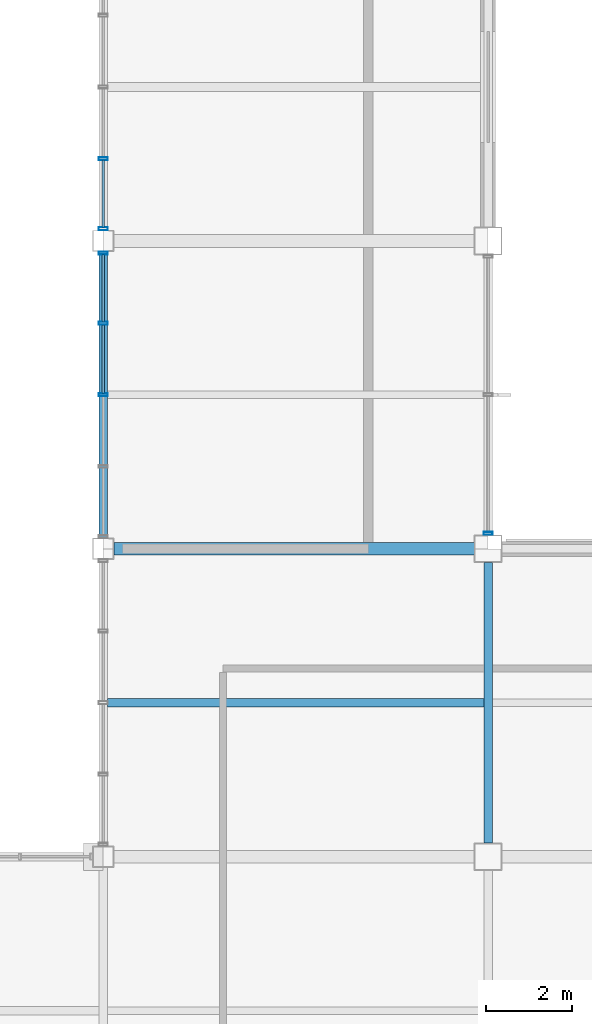
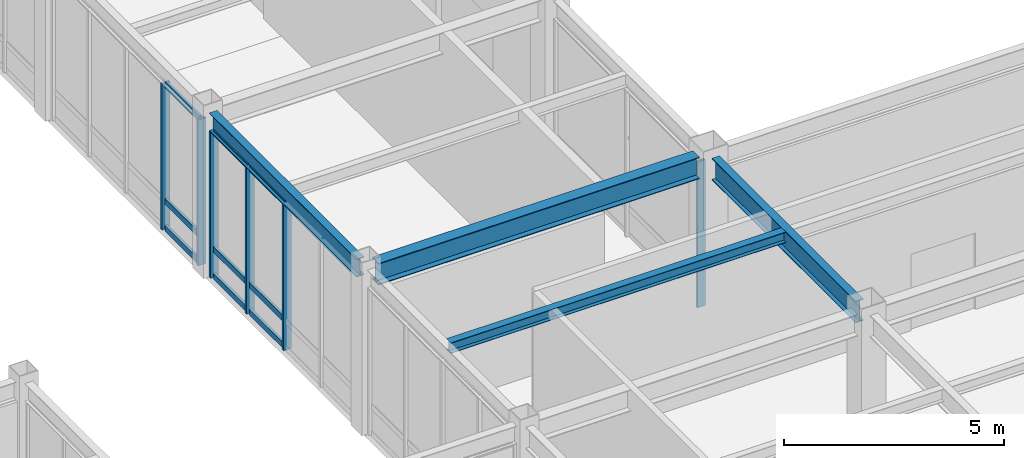
# One storey, part 29 of 112: 15 members, 4 beams, 3 elements without a shape of their own.
"""IFC4 building model written with IfcOpenShell, lengths in metres."""

from ifc_helpers import new_model, si_unit, direction, frame, origin, origin_2d, place, context, subcontext, project, spatial, hollow_rectangle, i_section, extrude, material, material_profile, profile_set, type_object, element, aggregate, save


model = new_model("IFC4")

# Units and contexts
model_context = context("Model", 3, precision=1e-05, world=origin(), true_north=direction((0.0, 1.0)))
body_context = subcontext(model_context, "Body", "Model", "MODEL_VIEW")
ifc_project = project(units=[si_unit("LENGTHUNIT", "METRE"), si_unit("AREAUNIT", "SQUARE_METRE"), si_unit("VOLUMEUNIT", "CUBIC_METRE"), si_unit("PLANEANGLEUNIT", "RADIAN"), si_unit("MASSUNIT", "GRAM", prefix="KILO")], contexts=[model_context])

# Site, building, storey
site_placement = place(None, origin())
site = spatial("IfcSite", under=ifc_project, at=site_placement, CompositionType="ELEMENT")
building_placement = place(site_placement, origin())
building = spatial("IfcBuilding", under=site, at=building_placement, Name="Kazanami Central Library", CompositionType="ELEMENT")
storey_placement = place(building_placement, origin())
storey = spatial("IfcBuildingStorey", under=building, at=storey_placement, Name="L01", CompositionType="ELEMENT", Elevation=0.0)

# Beams
ifc_material_1 = material(Name="Steel SN400B (235 MPa)", Category="steel")
ifc_material_profile_1 = material_profile(ifc_material_1, i_section(OverallWidth=0.199951171875, OverallDepth=0.2939453125, WebThickness=0.008056640625, FlangeThickness=0.011962890625, at=origin_2d()), Name="H-294x200x8x12")
ifc_profile_set_1 = profile_set([ifc_material_profile_1], Name="Steel SN400B (235 MPa)")
beam_type_1 = type_object("IfcBeamType", Name="BM-B-S5", PredefinedType="JOIST", material=ifc_profile_set_1)
beam_1_placement = place(storey_placement, frame((45.097900390625, 32.39990234375, 4.407958984375), z_axis=(1.0, 0.0, 0.0), x_axis=(0.0, 1.0, 0.0)))
element("IfcBeam", 1, at=beam_1_placement, inside=storey, type_object=beam_type_1, Name="Composite Secondary Joist B-S5 L01 Bay 6/E.1", PredefinedType="JOIST", context=body_context, shape_type="SweptSolid", body=[
    extrude(i_section(OverallWidth=0.199951171875, OverallDepth=0.2939453125, WebThickness=0.008056640625, FlangeThickness=0.011962890625, at=origin_2d()), origin(), (0.0, 0.0, 1.0), 8.80419921875),
])
ifc_material_2 = material(Name="Steel SN490B (325 MPa)", Category="steel")
ifc_material_profile_2 = material_profile(ifc_material_2, i_section(OverallWidth=0.300048828125, OverallDepth=0.60009765625, WebThickness=0.011962890625, FlangeThickness=0.02001953125, at=origin_2d()), Name="H-600x300x12x20")
ifc_profile_set_2 = profile_set([ifc_material_profile_2], Name="Steel SN490B (325 MPa)")
beam_type_2 = type_object("IfcBeamType", Name="BM-G-X1", PredefinedType="BEAM", material=ifc_profile_set_2)
beam_2_placement = place(storey_placement, frame((45.248046875, 36.0, 4.2548828125), z_axis=(1.0, 0.0, 0.0), x_axis=(0.0, 1.0, 0.0)))
element("IfcBeam", 2, at=beam_2_placement, inside=storey, type_object=beam_type_2, Name="Girder G-X1 L01 F/6-7", PredefinedType="BEAM", context=body_context, shape_type="SweptSolid", body=[
    extrude(i_section(OverallWidth=0.300048828125, OverallDepth=0.60009765625, WebThickness=0.011962890625, FlangeThickness=0.02001953125, at=origin_2d()), origin(), (0.0, 0.0, 1.0), 8.428955078125),
])
ifc_material_profile_3 = material_profile(ifc_material_2, i_section(OverallWidth=0.199951171875, OverallDepth=0.60009765625, WebThickness=0.010986328125, FlangeThickness=0.01708984375, at=origin_2d()), Name="H-600x200x11x17")
ifc_profile_set_3 = profile_set([ifc_material_profile_3], Name="Steel SN490B (325 MPa)")
beam_type_3 = type_object("IfcBeamType", Name="BM-G-Y1", PredefinedType="BEAM", material=ifc_profile_set_3)
beam_3_placement = place(storey_placement, frame((54.0, 29.123046875, 4.2548828125), z_axis=(0.0, 1.0, 0.0), x_axis=(-1.0, 0.0, 0.0)))
element("IfcBeam", 3, at=beam_3_placement, inside=storey, type_object=beam_type_3, Name="Girder G-Y1 L01 7/E-F", PredefinedType="BEAM", context=body_context, shape_type="SweptSolid", body=[
    extrude(i_section(OverallWidth=0.199951171875, OverallDepth=0.60009765625, WebThickness=0.010986328125, FlangeThickness=0.01708984375, at=origin_2d()), origin(), (0.0, 0.0, 1.0), 6.553955078125),
])
ifc_material_profile_4 = material_profile(ifc_material_2, i_section(OverallWidth=0.199951171875, OverallDepth=0.5, WebThickness=0.010009765625, FlangeThickness=0.01611328125, at=origin_2d()), Name="H-500x200x10x16")
ifc_profile_set_4 = profile_set([ifc_material_profile_4], Name="Steel SN490B (325 MPa)")
beam_type_4 = type_object("IfcBeamType", Name="BM-SP-1", PredefinedType="SPANDREL", material=ifc_profile_set_4)
beam_4_placement = place(storey_placement, frame((45.0, 36.248046875, 4.304931640625), z_axis=(0.0, 1.0, 0.0), x_axis=(-1.0, 0.0, 0.0)))
element("IfcBeam", 4, at=beam_4_placement, inside=storey, type_object=beam_type_4, Name="Girder SP-1 L01 6/F-G", PredefinedType="SPANDREL", context=body_context, shape_type="SweptSolid", body=[
    extrude(i_section(OverallWidth=0.199951171875, OverallDepth=0.5, WebThickness=0.010009765625, FlangeThickness=0.01611328125, at=origin_2d()), origin(), (0.0, 0.0, 1.0), 6.703857421875),
])

# Curtain wall, members
ifc_material_3 = material(Name="Acid-Etched Low-E Laminated Glass", Category="glass")
curtain_wall_type_1 = type_object("IfcCurtainWallType", Name="CW-6700x4055-M180", PredefinedType="USERDEFINED", material=ifc_material_3)
curtain_wall_1_placement = place(storey_placement, origin())
curtain_wall_1 = element("IfcCurtainWall", 5, at=curtain_wall_1_placement, inside=storey, type_object=curtain_wall_type_1, Name="Covered Link Bridge Curtain Wall CW-09 L01 W-6-05", ObjectType="UNITISED CURTAIN WALL", PredefinedType="USERDEFINED")
ifc_material_4 = material(Name="Anodised Aluminium A6063-T5", Category="aluminium")
ifc_material_profile_5 = material_profile(ifc_material_4, hollow_rectangle(XDim=0.070068359375, YDim=0.2099609375, WallThickness=0.0048828125, at=origin_2d()), Name="ALU-MULL-70x210x5")
ifc_profile_set_5 = profile_set([ifc_material_profile_5], Name="Anodised Aluminium A6063-T5")
member_type_1 = type_object("IfcMemberType", Name="MEM-CW-M1", PredefinedType="MULLION", material=ifc_profile_set_5)
member_1_placement = place(storey_placement, frame((45.0, 39.60009765625, 0.0), z_axis=(0.0, 0.0, 1.0), x_axis=(0.0, 1.0, 0.0)))
member_1 = element("IfcMember", 6, at=member_1_placement, type_object=member_type_1, Name="CW-09 mullion 3", PredefinedType="MULLION", context=body_context, shape_type="SweptSolid", body=[
    extrude(hollow_rectangle(XDim=0.070068359375, YDim=0.2099609375, WallThickness=0.0048828125, at=origin_2d()), origin(), (0.0, 0.0, 1.0), 4.054931640625),
])
member_2_placement = place(storey_placement, frame((45.0, 41.27490234375, 0.0), z_axis=(0.0, 0.0, 1.0), x_axis=(0.0, 1.0, 0.0)))
member_2 = element("IfcMember", 7, at=member_2_placement, type_object=member_type_1, Name="CW-09 mullion 4", PredefinedType="MULLION", context=body_context, shape_type="SweptSolid", body=[
    extrude(hollow_rectangle(XDim=0.070068359375, YDim=0.2099609375, WallThickness=0.0048828125, at=origin_2d()), origin(), (0.0, 0.0, 1.0), 4.054931640625),
])
member_3_placement = place(storey_placement, frame((45.0, 42.9150390625, 0.0), z_axis=(0.0, 0.0, 1.0), x_axis=(0.0, 1.0, 0.0)))
member_3 = element("IfcMember", 8, at=member_3_placement, type_object=member_type_1, Name="CW-09 mullion 5", PredefinedType="MULLION", context=body_context, shape_type="SweptSolid", body=[
    extrude(hollow_rectangle(XDim=0.070068359375, YDim=0.2099609375, WallThickness=0.0048828125, at=origin_2d()), origin(), (0.0, 0.0, 1.0), 4.054931640625),
])

curtain_wall_2_placement = place(storey_placement, origin())
curtain_wall_2 = element("IfcCurtainWall", 9, at=curtain_wall_2_placement, inside=storey, type_object=curtain_wall_type_1, Name="Covered Link Bridge Curtain Wall CW-09 L01 W-6-06", ObjectType="UNITISED CURTAIN WALL", PredefinedType="USERDEFINED")
member_4_placement = place(storey_placement, frame((45.0, 43.485107421875, 0.0), z_axis=(0.0, 0.0, 1.0), x_axis=(0.0, 1.0, 0.0)))
member_4 = element("IfcMember", 10, at=member_4_placement, type_object=member_type_1, Name="CW-09 mullion 1", PredefinedType="MULLION", context=body_context, shape_type="SweptSolid", body=[
    extrude(hollow_rectangle(XDim=0.070068359375, YDim=0.2099609375, WallThickness=0.0048828125, at=origin_2d()), origin(), (0.0, 0.0, 1.0), 4.054931640625),
])
member_5_placement = place(storey_placement, frame((45.0, 45.125, 0.0), z_axis=(0.0, 0.0, 1.0), x_axis=(0.0, 1.0, 0.0)))
member_5 = element("IfcMember", 11, at=member_5_placement, type_object=member_type_1, Name="CW-09 mullion 2", PredefinedType="MULLION", context=body_context, shape_type="SweptSolid", body=[
    extrude(hollow_rectangle(XDim=0.070068359375, YDim=0.2099609375, WallThickness=0.0048828125, at=origin_2d()), origin(), (0.0, 0.0, 1.0), 4.054931640625),
])

# Curtain wall, member
curtain_wall_type_2 = type_object("IfcCurtainWallType", Name="CW-6550x4055-M275", PredefinedType="USERDEFINED", material=ifc_material_3)
curtain_wall_3_placement = place(storey_placement, origin())
curtain_wall_3 = element("IfcCurtainWall", 12, at=curtain_wall_3_placement, inside=storey, type_object=curtain_wall_type_2, Name="Unitised Curtain Wall CW-10 L01 E-7-05", ObjectType="UNITISED CURTAIN WALL", PredefinedType="USERDEFINED")
member_6_placement = place(storey_placement, frame((54.0, 36.360107421875, 0.0), z_axis=(0.0, 0.0, 1.0), x_axis=(0.0, -1.0, 0.0)))
member_6 = element("IfcMember", 13, at=member_6_placement, type_object=member_type_1, Name="CW-10 mullion 3", PredefinedType="MULLION", context=body_context, shape_type="SweptSolid", body=[
    extrude(hollow_rectangle(XDim=0.070068359375, YDim=0.2099609375, WallThickness=0.0048828125, at=origin_2d()), origin(), (0.0, 0.0, 1.0), 4.054931640625),
])
aggregate(curtain_wall_3, [member_6])

# Member
ifc_material_profile_6 = material_profile(ifc_material_4, hollow_rectangle(XDim=0.070068359375, YDim=0.159912109375, WallThickness=0.00390625, at=origin_2d()), Name="ALU-TRAN-70x160x4")
ifc_profile_set_6 = profile_set([ifc_material_profile_6], Name="Anodised Aluminium A6063-T5")
member_type_2 = type_object("IfcMemberType", Name="MEM-CW-T1", PredefinedType="USERDEFINED", material=ifc_profile_set_6)
member_7_placement = place(storey_placement, frame((45.0, 39.635009765625, 0.034912109375), z_axis=(0.0, 1.0, 0.0), x_axis=(-1.0, 0.0, 0.0)))
member_7 = element("IfcMember", 14, at=member_7_placement, type_object=member_type_2, Name="CW-09 transom 3.1", ObjectType="TRANSOM", PredefinedType="USERDEFINED", context=body_context, shape_type="SweptSolid", body=[
    extrude(hollow_rectangle(XDim=0.070068359375, YDim=0.159912109375, WallThickness=0.00390625, at=origin_2d()), origin(), (0.0, 0.0, 1.0), 1.60498046875),
])

member_8_placement = place(storey_placement, frame((45.0, 39.635009765625, 0.780029296875), z_axis=(0.0, 1.0, 0.0), x_axis=(-1.0, 0.0, 0.0)))
member_8 = element("IfcMember", 15, at=member_8_placement, type_object=member_type_2, Name="CW-09 transom 3.2", ObjectType="TRANSOM", PredefinedType="USERDEFINED", context=body_context, shape_type="SweptSolid", body=[
    extrude(hollow_rectangle(XDim=0.070068359375, YDim=0.159912109375, WallThickness=0.00390625, at=origin_2d()), origin(), (0.0, 0.0, 1.0), 1.60498046875),
])

member_9_placement = place(storey_placement, frame((45.0, 39.635009765625, 4.02001953125), z_axis=(0.0, 1.0, 0.0), x_axis=(-1.0, 0.0, 0.0)))
member_9 = element("IfcMember", 16, at=member_9_placement, type_object=member_type_2, Name="CW-09 transom 3.3", ObjectType="TRANSOM", PredefinedType="USERDEFINED", context=body_context, shape_type="SweptSolid", body=[
    extrude(hollow_rectangle(XDim=0.070068359375, YDim=0.159912109375, WallThickness=0.00390625, at=origin_2d()), origin(), (0.0, 0.0, 1.0), 1.60498046875),
])

member_10_placement = place(storey_placement, frame((45.0, 41.31005859375, 0.034912109375), z_axis=(0.0, 1.0, 0.0), x_axis=(-1.0, 0.0, 0.0)))
member_10 = element("IfcMember", 17, at=member_10_placement, type_object=member_type_2, Name="CW-09 transom 4.1", ObjectType="TRANSOM", PredefinedType="USERDEFINED", context=body_context, shape_type="SweptSolid", body=[
    extrude(hollow_rectangle(XDim=0.070068359375, YDim=0.159912109375, WallThickness=0.00390625, at=origin_2d()), origin(), (0.0, 0.0, 1.0), 1.56982421875),
])

member_11_placement = place(storey_placement, frame((45.0, 41.31005859375, 0.780029296875), z_axis=(0.0, 1.0, 0.0), x_axis=(-1.0, 0.0, 0.0)))
member_11 = element("IfcMember", 18, at=member_11_placement, type_object=member_type_2, Name="CW-09 transom 4.2", ObjectType="TRANSOM", PredefinedType="USERDEFINED", context=body_context, shape_type="SweptSolid", body=[
    extrude(hollow_rectangle(XDim=0.070068359375, YDim=0.159912109375, WallThickness=0.00390625, at=origin_2d()), origin(), (0.0, 0.0, 1.0), 1.56982421875),
])

member_12_placement = place(storey_placement, frame((45.0, 41.31005859375, 4.02001953125), z_axis=(0.0, 1.0, 0.0), x_axis=(-1.0, 0.0, 0.0)))
member_12 = element("IfcMember", 19, at=member_12_placement, type_object=member_type_2, Name="CW-09 transom 4.3", ObjectType="TRANSOM", PredefinedType="USERDEFINED", context=body_context, shape_type="SweptSolid", body=[
    extrude(hollow_rectangle(XDim=0.070068359375, YDim=0.159912109375, WallThickness=0.00390625, at=origin_2d()), origin(), (0.0, 0.0, 1.0), 1.56982421875),
])

aggregate(curtain_wall_1, [member_1, member_2, member_3, member_7, member_8, member_9, member_10, member_11, member_12])

member_13_placement = place(storey_placement, frame((45.0, 43.52001953125, 0.034912109375), z_axis=(0.0, 1.0, 0.0), x_axis=(-1.0, 0.0, 0.0)))
member_13 = element("IfcMember", 20, at=member_13_placement, type_object=member_type_2, Name="CW-09 transom 1.1", ObjectType="TRANSOM", PredefinedType="USERDEFINED", context=body_context, shape_type="SweptSolid", body=[
    extrude(hollow_rectangle(XDim=0.070068359375, YDim=0.159912109375, WallThickness=0.00390625, at=origin_2d()), origin(), (0.0, 0.0, 1.0), 1.570068359375),
])

member_14_placement = place(storey_placement, frame((45.0, 43.52001953125, 0.780029296875), z_axis=(0.0, 1.0, 0.0), x_axis=(-1.0, 0.0, 0.0)))
member_14 = element("IfcMember", 21, at=member_14_placement, type_object=member_type_2, Name="CW-09 transom 1.2", ObjectType="TRANSOM", PredefinedType="USERDEFINED", context=body_context, shape_type="SweptSolid", body=[
    extrude(hollow_rectangle(XDim=0.070068359375, YDim=0.159912109375, WallThickness=0.00390625, at=origin_2d()), origin(), (0.0, 0.0, 1.0), 1.570068359375),
])

member_15_placement = place(storey_placement, frame((45.0, 43.52001953125, 4.02001953125), z_axis=(0.0, 1.0, 0.0), x_axis=(-1.0, 0.0, 0.0)))
member_15 = element("IfcMember", 22, at=member_15_placement, type_object=member_type_2, Name="CW-09 transom 1.3", ObjectType="TRANSOM", PredefinedType="USERDEFINED", context=body_context, shape_type="SweptSolid", body=[
    extrude(hollow_rectangle(XDim=0.070068359375, YDim=0.159912109375, WallThickness=0.00390625, at=origin_2d()), origin(), (0.0, 0.0, 1.0), 1.570068359375),
])

aggregate(curtain_wall_2, [member_4, member_5, member_13, member_14, member_15])

save(model, "model.ifc")
